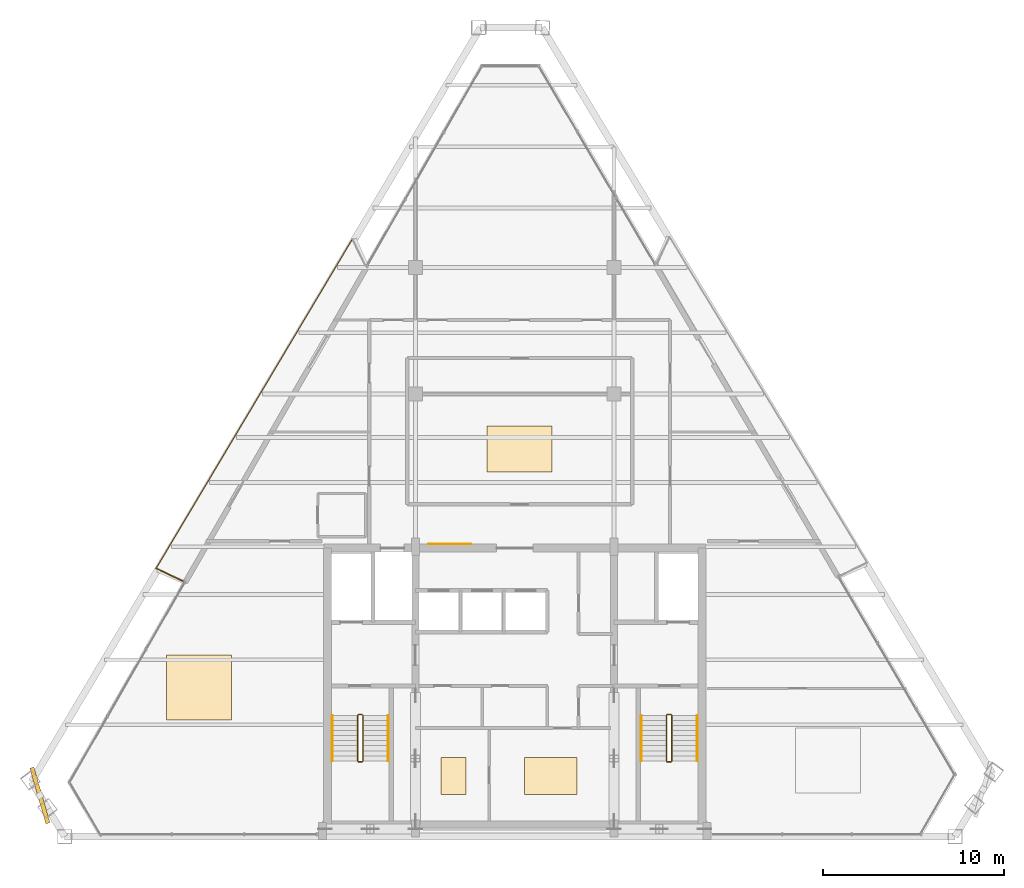
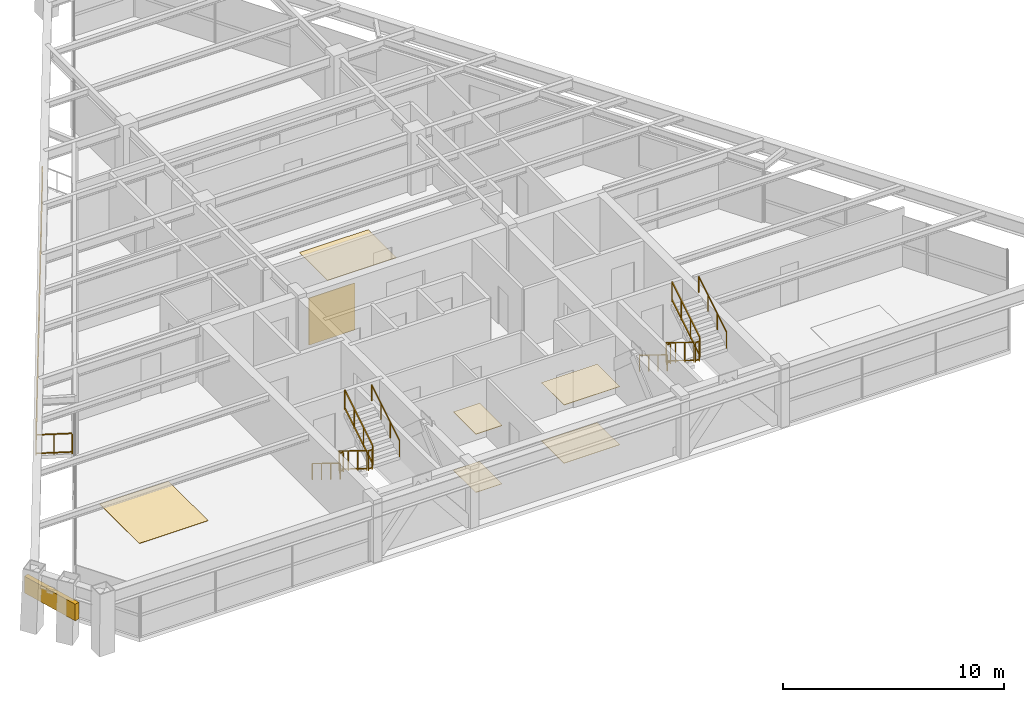
# One storey, part 12 of 13: 14 railings, 7 coverings, 1 shading device.
"""IFC4 building model written with IfcOpenShell, lengths in metres."""

from ifc_helpers import new_model, si_unit, direction, frame, origin, origin_2d, place, context, subcontext, project, spatial, rectangle, extrude, source, transform, mapped, material, layer, layer_set, type_object, type_shapes, element, save


model = new_model("IFC4")

# Units and contexts
model_context = context("Model", 3, precision=1e-05, world=origin(), true_north=direction((0.0, 1.0)))
body_context = subcontext(model_context, "Body", "Model", "MODEL_VIEW")
ifc_project = project(units=[si_unit("LENGTHUNIT", "METRE"), si_unit("AREAUNIT", "SQUARE_METRE"), si_unit("VOLUMEUNIT", "CUBIC_METRE"), si_unit("PLANEANGLEUNIT", "RADIAN"), si_unit("MASSUNIT", "GRAM", prefix="KILO")], contexts=[model_context])

# Site, building, storey
site_placement = place(None, origin())
site = spatial("IfcSite", under=ifc_project, at=site_placement, CompositionType="ELEMENT")
building_placement = place(site_placement, origin())
building = spatial("IfcBuilding", under=site, at=building_placement, Name="Varnakhor Terracotta Tower", CompositionType="ELEMENT")
storey_placement = place(building_placement, frame((0.0, 0.0, 283.35009765625)))
storey = spatial("IfcBuildingStorey", under=building, at=storey_placement, Name="L74", CompositionType="ELEMENT", Elevation=283.35009765625)

# Railings
ifc_material_1 = material(Name="Stainless Steel & Laminated Glass Guardrail", Category="steel")
railing_type_1 = type_object("IfcRailingType", Name="RLG-LOGGIA-GUARD-1150", PredefinedType="GUARDRAIL", material=ifc_material_1)
railing_1_placement = place(storey_placement, frame((-18.365966796875, 14.141357421875, 0.0)))
element("IfcRailing", 1, at=railing_1_placement, inside=storey, type_object=railing_type_1, Name="L74 W Loggia Glass Guard 1", PredefinedType="GUARDRAIL", context=body_context, shape_type="SweptSolid", body=[
    extrude(rectangle(XDim=0.048095703125, YDim=0.048095703125, at=origin_2d()), frame((0.0, 0.0, 1.1259765625), z_axis=(-0.900537627034, 0.434778083965, 0.0), x_axis=(-0.434778083965, -0.900537627034, 0.0)), (0.0, 0.0, 1.0), 1.64697265625),
    extrude(rectangle(XDim=0.048095703125, YDim=0.048095703125, at=origin_2d()), frame((0.0, 0.0, 0.10009765625), z_axis=(-0.900537627034, 0.434778083965, 0.0), x_axis=(-0.434778083965, -0.900537627034, 0.0)), (0.0, 0.0, 1.0), 1.64697265625),
    extrude(rectangle(XDim=0.0419921875, YDim=0.0419921875, at=origin_2d()), origin(), (0.0, 0.0, 1.0), 1.101806640625),
    extrude(rectangle(XDim=0.0419921875, YDim=0.0419921875, at=origin_2d()), frame((-0.74169921875, 0.35791015625, 0.0)), (0.0, 0.0, 1.0), 1.101806640625),
    extrude(rectangle(XDim=0.0419921875, YDim=0.0419921875, at=origin_2d()), frame((-1.483154296875, 0.716064453125, 0.0)), (0.0, 0.0, 1.0), 1.101806640625),
])
railing_2_placement = place(storey_placement, frame((-19.84912109375, 14.857421875, 0.0)))
element("IfcRailing", 2, at=railing_2_placement, inside=storey, type_object=railing_type_1, Name="L74 W Loggia Glass Guard 2", PredefinedType="GUARDRAIL", context=body_context, shape_type="SweptSolid", body=[
    extrude(rectangle(XDim=0.048095703125, YDim=0.048095703125, at=origin_2d()), frame((0.0, 0.0, 1.1259765625), z_axis=(0.511923750807, 0.859030891971, 0.0), x_axis=(-0.859030891971, 0.511923750807, 0.0)), (0.0, 0.0, 1.0), 21.208984375),
    extrude(rectangle(XDim=0.048095703125, YDim=0.048095703125, at=origin_2d()), frame((0.0, 0.0, 0.10009765625), z_axis=(0.511923750807, 0.859030891971, 0.0), x_axis=(-0.859030891971, 0.511923750807, 0.0)), (0.0, 0.0, 1.0), 21.208984375),
    extrude(rectangle(XDim=0.0419921875, YDim=0.0419921875, at=origin_2d()), origin(), (0.0, 0.0, 1.0), 1.101806640625),
    extrude(rectangle(XDim=0.0419921875, YDim=0.0419921875, at=origin_2d()), frame((0.6787109375, 1.138671875, 0.0)), (0.0, 0.0, 1.0), 1.101806640625),
    extrude(rectangle(XDim=0.0419921875, YDim=0.0419921875, at=origin_2d()), frame((1.357177734375, 2.27734375, 0.0)), (0.0, 0.0, 1.0), 1.101806640625),
    extrude(rectangle(XDim=0.0419921875, YDim=0.0419921875, at=origin_2d()), frame((2.03564453125, 3.416015625, 0.0)), (0.0, 0.0, 1.0), 1.101806640625),
    extrude(rectangle(XDim=0.0419921875, YDim=0.0419921875, at=origin_2d()), frame((2.71435546875, 4.5546875, 0.0)), (0.0, 0.0, 1.0), 1.101806640625),
    extrude(rectangle(XDim=0.0419921875, YDim=0.0419921875, at=origin_2d()), frame((3.39306640625, 5.693603515625, 0.0)), (0.0, 0.0, 1.0), 1.101806640625),
    extrude(rectangle(XDim=0.0419921875, YDim=0.0419921875, at=origin_2d()), frame((4.071533203125, 6.832275390625, 0.0)), (0.0, 0.0, 1.0), 1.101806640625),
    extrude(rectangle(XDim=0.0419921875, YDim=0.0419921875, at=origin_2d()), frame((4.75, 7.970947265625, 0.0)), (0.0, 0.0, 1.0), 1.101806640625),
    extrude(rectangle(XDim=0.0419921875, YDim=0.0419921875, at=origin_2d()), frame((5.4287109375, 9.109619140625, 0.0)), (0.0, 0.0, 1.0), 1.101806640625),
    extrude(rectangle(XDim=0.0419921875, YDim=0.0419921875, at=origin_2d()), frame((6.107421875, 10.248291015625, 0.0)), (0.0, 0.0, 1.0), 1.101806640625),
    extrude(rectangle(XDim=0.0419921875, YDim=0.0419921875, at=origin_2d()), frame((6.785888671875, 11.386962890625, 0.0)), (0.0, 0.0, 1.0), 1.101806640625),
    extrude(rectangle(XDim=0.0419921875, YDim=0.0419921875, at=origin_2d()), frame((7.46435546875, 12.525634765625, 0.0)), (0.0, 0.0, 1.0), 1.101806640625),
    extrude(rectangle(XDim=0.0419921875, YDim=0.0419921875, at=origin_2d()), frame((8.14306640625, 13.66455078125, 0.0)), (0.0, 0.0, 1.0), 1.101806640625),
    extrude(rectangle(XDim=0.0419921875, YDim=0.0419921875, at=origin_2d()), frame((8.82177734375, 14.80322265625, 0.0)), (0.0, 0.0, 1.0), 1.101806640625),
    extrude(rectangle(XDim=0.0419921875, YDim=0.0419921875, at=origin_2d()), frame((9.500244140625, 15.94189453125, 0.0)), (0.0, 0.0, 1.0), 1.101806640625),
    extrude(rectangle(XDim=0.0419921875, YDim=0.0419921875, at=origin_2d()), frame((10.1787109375, 17.08056640625, 0.0)), (0.0, 0.0, 1.0), 1.101806640625),
    extrude(rectangle(XDim=0.0419921875, YDim=0.0419921875, at=origin_2d()), frame((10.857421875, 18.21923828125, 0.0)), (0.0, 0.0, 1.0), 1.101806640625),
])
ifc_material_2 = material(Name="Painted Steel Stairwell Guardrail", Category="steel")
railing_type_2 = type_object("IfcRailingType", Name="RLG-STAIR-GUARD-1120", PredefinedType="GUARDRAIL", material=ifc_material_2)
railing_3_placement = place(storey_placement, frame((-8.699951171875, 6.7099609375, 0.17236328125)))
element("IfcRailing", 3, at=railing_3_placement, inside=storey, type_object=railing_type_2, Name="L74 ST-1 stair guard 1", PredefinedType="GUARDRAIL", context=body_context, shape_type="SweptSolid", body=[
    extrude(rectangle(XDim=0.048095703125, YDim=0.048095703125, at=origin_2d()), frame((0.0, 0.0, 1.09619140625), z_axis=(0.0, -0.851400495292, 0.524516154772), x_axis=(1.0, 0.0, 0.0)), (0.0, 0.0, 1.0), 2.9599609375),
    extrude(rectangle(XDim=0.048095703125, YDim=0.048095703125, at=origin_2d()), frame((0.0, 0.0, 0.10009765625), z_axis=(0.0, -0.851400495292, 0.524516154772), x_axis=(1.0, 0.0, 0.0)), (0.0, 0.0, 1.0), 2.9599609375),
    extrude(rectangle(XDim=0.0419921875, YDim=0.0419921875, at=origin_2d()), origin(), (0.0, 0.0, 1.0), 1.072021484375),
    extrude(rectangle(XDim=0.0419921875, YDim=0.0419921875, at=origin_2d()), frame((0.0, -0.840087890625, 0.517578125)), (0.0, 0.0, 1.0), 1.072021484375),
    extrude(rectangle(XDim=0.0419921875, YDim=0.0419921875, at=origin_2d()), frame((0.0, -1.679931640625, 1.034912109375)), (0.0, 0.0, 1.0), 1.072021484375),
    extrude(rectangle(XDim=0.0419921875, YDim=0.0419921875, at=origin_2d()), frame((0.0, -2.52001953125, 1.552490234375)), (0.0, 0.0, 1.0), 1.072021484375),
])
railing_4_placement = place(storey_placement, frame((-8.64990234375, 4.139892578125, 1.724853515625)))
element("IfcRailing", 4, at=railing_4_placement, inside=storey, type_object=railing_type_2, Name="L74 ST-1 stair guard 2", PredefinedType="GUARDRAIL", context=body_context, shape_type="SweptSolid", body=[
    extrude(rectangle(XDim=0.048095703125, YDim=0.048095703125, at=origin_2d()), frame((0.0, 0.0, 1.09619140625), z_axis=(1.0, 0.0, 0.0), x_axis=(0.0, 1.0, 0.0)), (0.0, 0.0, 1.0), 0.199951171875),
    extrude(rectangle(XDim=0.048095703125, YDim=0.048095703125, at=origin_2d()), frame((0.0, 0.0, 0.10009765625), z_axis=(1.0, 0.0, 0.0), x_axis=(0.0, 1.0, 0.0)), (0.0, 0.0, 1.0), 0.199951171875),
    extrude(rectangle(XDim=0.0419921875, YDim=0.0419921875, at=origin_2d()), origin(), (0.0, 0.0, 1.0), 1.072021484375),
    extrude(rectangle(XDim=0.0419921875, YDim=0.0419921875, at=origin_2d()), frame((0.199951171875, 0.0, 0.0)), (0.0, 0.0, 1.0), 1.072021484375),
])
railing_5_placement = place(storey_placement, frame((-8.39990234375, 4.18994140625, 1.8974609375)))
element("IfcRailing", 5, at=railing_5_placement, inside=storey, type_object=railing_type_2, Name="L74 ST-1 stair guard 3", PredefinedType="GUARDRAIL", context=body_context, shape_type="SweptSolid", body=[
    extrude(rectangle(XDim=0.048095703125, YDim=0.048095703125, at=origin_2d()), frame((0.0, 0.0, 1.09619140625), z_axis=(0.0, 0.851400495292, 0.524516154772), x_axis=(-1.0, 0.0, 0.0)), (0.0, 0.0, 1.0), 2.9599609375),
    extrude(rectangle(XDim=0.048095703125, YDim=0.048095703125, at=origin_2d()), frame((0.0, 0.0, 0.10009765625), z_axis=(0.0, 0.851400495292, 0.524516154772), x_axis=(-1.0, 0.0, 0.0)), (0.0, 0.0, 1.0), 2.9599609375),
    extrude(rectangle(XDim=0.0419921875, YDim=0.0419921875, at=origin_2d()), origin(), (0.0, 0.0, 1.0), 1.072021484375),
    extrude(rectangle(XDim=0.0419921875, YDim=0.0419921875, at=origin_2d()), frame((0.0, 0.840087890625, 0.517578125)), (0.0, 0.0, 1.0), 1.072021484375),
    extrude(rectangle(XDim=0.0419921875, YDim=0.0419921875, at=origin_2d()), frame((0.0, 1.679931640625, 1.034912109375)), (0.0, 0.0, 1.0), 1.072021484375),
    extrude(rectangle(XDim=0.0419921875, YDim=0.0419921875, at=origin_2d()), frame((0.0, 2.52001953125, 1.552490234375)), (0.0, 0.0, 1.0), 1.072021484375),
])
railing_6_placement = place(storey_placement, frame((-8.64990234375, 6.760009765625, 0.0)))
element("IfcRailing", 6, at=railing_6_placement, inside=storey, type_object=railing_type_2, Name="L74 ST-1 stair guard 4", PredefinedType="GUARDRAIL", context=body_context, shape_type="SweptSolid", body=[
    extrude(rectangle(XDim=0.048095703125, YDim=0.048095703125, at=origin_2d()), frame((0.0, 0.0, 1.09619140625), z_axis=(1.0, 0.0, 0.0), x_axis=(0.0, 1.0, 0.0)), (0.0, 0.0, 1.0), 0.199951171875),
    extrude(rectangle(XDim=0.048095703125, YDim=0.048095703125, at=origin_2d()), frame((0.0, 0.0, 0.10009765625), z_axis=(1.0, 0.0, 0.0), x_axis=(0.0, 1.0, 0.0)), (0.0, 0.0, 1.0), 0.199951171875),
    extrude(rectangle(XDim=0.0419921875, YDim=0.0419921875, at=origin_2d()), origin(), (0.0, 0.0, 1.0), 1.072021484375),
    extrude(rectangle(XDim=0.0419921875, YDim=0.0419921875, at=origin_2d()), frame((0.199951171875, 0.0, 0.0)), (0.0, 0.0, 1.0), 1.072021484375),
])
railing_7_placement = place(storey_placement, frame((8.39990234375, 6.7099609375, 0.17236328125)))
element("IfcRailing", 7, at=railing_7_placement, inside=storey, type_object=railing_type_2, Name="L74 ST-2 stair guard 1", PredefinedType="GUARDRAIL", context=body_context, shape_type="SweptSolid", body=[
    extrude(rectangle(XDim=0.048095703125, YDim=0.048095703125, at=origin_2d()), frame((0.0, 0.0, 1.09619140625), z_axis=(0.0, -0.851400495292, 0.524516154772), x_axis=(1.0, 0.0, 0.0)), (0.0, 0.0, 1.0), 2.9599609375),
    extrude(rectangle(XDim=0.048095703125, YDim=0.048095703125, at=origin_2d()), frame((0.0, 0.0, 0.10009765625), z_axis=(0.0, -0.851400495292, 0.524516154772), x_axis=(1.0, 0.0, 0.0)), (0.0, 0.0, 1.0), 2.9599609375),
    extrude(rectangle(XDim=0.0419921875, YDim=0.0419921875, at=origin_2d()), origin(), (0.0, 0.0, 1.0), 1.072021484375),
    extrude(rectangle(XDim=0.0419921875, YDim=0.0419921875, at=origin_2d()), frame((0.0, -0.840087890625, 0.517578125)), (0.0, 0.0, 1.0), 1.072021484375),
    extrude(rectangle(XDim=0.0419921875, YDim=0.0419921875, at=origin_2d()), frame((0.0, -1.679931640625, 1.034912109375)), (0.0, 0.0, 1.0), 1.072021484375),
    extrude(rectangle(XDim=0.0419921875, YDim=0.0419921875, at=origin_2d()), frame((0.0, -2.52001953125, 1.552490234375)), (0.0, 0.0, 1.0), 1.072021484375),
])
railing_8_placement = place(storey_placement, frame((8.449951171875, 4.139892578125, 1.724853515625)))
element("IfcRailing", 8, at=railing_8_placement, inside=storey, type_object=railing_type_2, Name="L74 ST-2 stair guard 2", PredefinedType="GUARDRAIL", context=body_context, shape_type="SweptSolid", body=[
    extrude(rectangle(XDim=0.048095703125, YDim=0.048095703125, at=origin_2d()), frame((0.0, 0.0, 1.09619140625), z_axis=(1.0, 0.0, 0.0), x_axis=(0.0, 1.0, 0.0)), (0.0, 0.0, 1.0), 0.199951171875),
    extrude(rectangle(XDim=0.048095703125, YDim=0.048095703125, at=origin_2d()), frame((0.0, 0.0, 0.10009765625), z_axis=(1.0, 0.0, 0.0), x_axis=(0.0, 1.0, 0.0)), (0.0, 0.0, 1.0), 0.199951171875),
    extrude(rectangle(XDim=0.0419921875, YDim=0.0419921875, at=origin_2d()), origin(), (0.0, 0.0, 1.0), 1.072021484375),
    extrude(rectangle(XDim=0.0419921875, YDim=0.0419921875, at=origin_2d()), frame((0.199951171875, 0.0, 0.0)), (0.0, 0.0, 1.0), 1.072021484375),
])
railing_9_placement = place(storey_placement, frame((8.699951171875, 4.18994140625, 1.8974609375)))
element("IfcRailing", 9, at=railing_9_placement, inside=storey, type_object=railing_type_2, Name="L74 ST-2 stair guard 3", PredefinedType="GUARDRAIL", context=body_context, shape_type="SweptSolid", body=[
    extrude(rectangle(XDim=0.048095703125, YDim=0.048095703125, at=origin_2d()), frame((0.0, 0.0, 1.09619140625), z_axis=(0.0, 0.851400495292, 0.524516154772), x_axis=(-1.0, 0.0, 0.0)), (0.0, 0.0, 1.0), 2.9599609375),
    extrude(rectangle(XDim=0.048095703125, YDim=0.048095703125, at=origin_2d()), frame((0.0, 0.0, 0.10009765625), z_axis=(0.0, 0.851400495292, 0.524516154772), x_axis=(-1.0, 0.0, 0.0)), (0.0, 0.0, 1.0), 2.9599609375),
    extrude(rectangle(XDim=0.0419921875, YDim=0.0419921875, at=origin_2d()), origin(), (0.0, 0.0, 1.0), 1.072021484375),
    extrude(rectangle(XDim=0.0419921875, YDim=0.0419921875, at=origin_2d()), frame((0.0, 0.840087890625, 0.517578125)), (0.0, 0.0, 1.0), 1.072021484375),
    extrude(rectangle(XDim=0.0419921875, YDim=0.0419921875, at=origin_2d()), frame((0.0, 1.679931640625, 1.034912109375)), (0.0, 0.0, 1.0), 1.072021484375),
    extrude(rectangle(XDim=0.0419921875, YDim=0.0419921875, at=origin_2d()), frame((0.0, 2.52001953125, 1.552490234375)), (0.0, 0.0, 1.0), 1.072021484375),
])
railing_10_placement = place(storey_placement, frame((8.449951171875, 6.760009765625, 0.0)))
element("IfcRailing", 10, at=railing_10_placement, inside=storey, type_object=railing_type_2, Name="L74 ST-2 stair guard 4", PredefinedType="GUARDRAIL", context=body_context, shape_type="SweptSolid", body=[
    extrude(rectangle(XDim=0.048095703125, YDim=0.048095703125, at=origin_2d()), frame((0.0, 0.0, 1.09619140625), z_axis=(1.0, 0.0, 0.0), x_axis=(0.0, 1.0, 0.0)), (0.0, 0.0, 1.0), 0.199951171875),
    extrude(rectangle(XDim=0.048095703125, YDim=0.048095703125, at=origin_2d()), frame((0.0, 0.0, 0.10009765625), z_axis=(1.0, 0.0, 0.0), x_axis=(0.0, 1.0, 0.0)), (0.0, 0.0, 1.0), 0.199951171875),
    extrude(rectangle(XDim=0.0419921875, YDim=0.0419921875, at=origin_2d()), origin(), (0.0, 0.0, 1.0), 1.072021484375),
    extrude(rectangle(XDim=0.0419921875, YDim=0.0419921875, at=origin_2d()), frame((0.199951171875, 0.0, 0.0)), (0.0, 0.0, 1.0), 1.072021484375),
])
ifc_material_3 = material(Name="Brushed Stainless Steel Handrail", Category="steel")
railing_type_3 = type_object("IfcRailingType", Name="RLG-STAIR-HANDRAIL-920", PredefinedType="HANDRAIL", material=ifc_material_3)
railing_11_placement = place(storey_placement, frame((-10.10009765625, 6.7099609375, 0.17236328125)))
element("IfcRailing", 11, at=railing_11_placement, inside=storey, type_object=railing_type_3, Name="L74 ST-1 stair handrail 1", PredefinedType="HANDRAIL", context=body_context, shape_type="SweptSolid", body=[
    extrude(rectangle(XDim=0.048095703125, YDim=0.048095703125, at=origin_2d()), frame((0.0, 0.0, 0.89599609375), z_axis=(0.0, -0.851400495292, 0.524516154772), x_axis=(1.0, 0.0, 0.0)), (0.0, 0.0, 1.0), 2.9599609375),
    extrude(rectangle(XDim=0.0419921875, YDim=0.0419921875, at=origin_2d()), origin(), (0.0, 0.0, 1.0), 0.871826171875),
    extrude(rectangle(XDim=0.0419921875, YDim=0.0419921875, at=origin_2d()), frame((0.0, -0.840087890625, 0.517578125)), (0.0, 0.0, 1.0), 0.871826171875),
    extrude(rectangle(XDim=0.0419921875, YDim=0.0419921875, at=origin_2d()), frame((0.0, -1.679931640625, 1.034912109375)), (0.0, 0.0, 1.0), 0.871826171875),
    extrude(rectangle(XDim=0.0419921875, YDim=0.0419921875, at=origin_2d()), frame((0.0, -2.52001953125, 1.552490234375)), (0.0, 0.0, 1.0), 0.871826171875),
])
railing_12_placement = place(storey_placement, frame((-7.0, 4.18994140625, 1.8974609375)))
element("IfcRailing", 12, at=railing_12_placement, inside=storey, type_object=railing_type_3, Name="L74 ST-1 stair handrail 2", PredefinedType="HANDRAIL", context=body_context, shape_type="SweptSolid", body=[
    extrude(rectangle(XDim=0.048095703125, YDim=0.048095703125, at=origin_2d()), frame((0.0, 0.0, 0.89599609375), z_axis=(0.0, 0.851400495292, 0.524516154772), x_axis=(-1.0, 0.0, 0.0)), (0.0, 0.0, 1.0), 2.9599609375),
    extrude(rectangle(XDim=0.0419921875, YDim=0.0419921875, at=origin_2d()), origin(), (0.0, 0.0, 1.0), 0.871826171875),
    extrude(rectangle(XDim=0.0419921875, YDim=0.0419921875, at=origin_2d()), frame((0.0, 0.840087890625, 0.517578125)), (0.0, 0.0, 1.0), 0.871826171875),
    extrude(rectangle(XDim=0.0419921875, YDim=0.0419921875, at=origin_2d()), frame((0.0, 1.679931640625, 1.034912109375)), (0.0, 0.0, 1.0), 0.871826171875),
    extrude(rectangle(XDim=0.0419921875, YDim=0.0419921875, at=origin_2d()), frame((0.0, 2.52001953125, 1.552490234375)), (0.0, 0.0, 1.0), 0.871826171875),
])
railing_13_placement = place(storey_placement, frame((7.0, 6.7099609375, 0.17236328125)))
element("IfcRailing", 13, at=railing_13_placement, inside=storey, type_object=railing_type_3, Name="L74 ST-2 stair handrail 1", PredefinedType="HANDRAIL", context=body_context, shape_type="SweptSolid", body=[
    extrude(rectangle(XDim=0.048095703125, YDim=0.048095703125, at=origin_2d()), frame((0.0, 0.0, 0.89599609375), z_axis=(0.0, -0.851400495292, 0.524516154772), x_axis=(1.0, 0.0, 0.0)), (0.0, 0.0, 1.0), 2.9599609375),
    extrude(rectangle(XDim=0.0419921875, YDim=0.0419921875, at=origin_2d()), origin(), (0.0, 0.0, 1.0), 0.871826171875),
    extrude(rectangle(XDim=0.0419921875, YDim=0.0419921875, at=origin_2d()), frame((0.0, -0.840087890625, 0.517578125)), (0.0, 0.0, 1.0), 0.871826171875),
    extrude(rectangle(XDim=0.0419921875, YDim=0.0419921875, at=origin_2d()), frame((0.0, -1.679931640625, 1.034912109375)), (0.0, 0.0, 1.0), 0.871826171875),
    extrude(rectangle(XDim=0.0419921875, YDim=0.0419921875, at=origin_2d()), frame((0.0, -2.52001953125, 1.552490234375)), (0.0, 0.0, 1.0), 0.871826171875),
])
railing_14_placement = place(storey_placement, frame((10.10009765625, 4.18994140625, 1.8974609375)))
element("IfcRailing", 14, at=railing_14_placement, inside=storey, type_object=railing_type_3, Name="L74 ST-2 stair handrail 2", PredefinedType="HANDRAIL", context=body_context, shape_type="SweptSolid", body=[
    extrude(rectangle(XDim=0.048095703125, YDim=0.048095703125, at=origin_2d()), frame((0.0, 0.0, 0.89599609375), z_axis=(0.0, 0.851400495292, 0.524516154772), x_axis=(-1.0, 0.0, 0.0)), (0.0, 0.0, 1.0), 2.9599609375),
    extrude(rectangle(XDim=0.0419921875, YDim=0.0419921875, at=origin_2d()), origin(), (0.0, 0.0, 1.0), 0.871826171875),
    extrude(rectangle(XDim=0.0419921875, YDim=0.0419921875, at=origin_2d()), frame((0.0, 0.840087890625, 0.517578125)), (0.0, 0.0, 1.0), 0.871826171875),
    extrude(rectangle(XDim=0.0419921875, YDim=0.0419921875, at=origin_2d()), frame((0.0, 1.679931640625, 1.034912109375)), (0.0, 0.0, 1.0), 0.871826171875),
    extrude(rectangle(XDim=0.0419921875, YDim=0.0419921875, at=origin_2d()), frame((0.0, 2.52001953125, 1.552490234375)), (0.0, 0.0, 1.0), 0.871826171875),
])

# Shading device
ifc_material_4 = material(Name="Extruded Architectural Terracotta Screen", Category="masonry")
shading_device_type = type_object("IfcShadingDeviceType", Name="TERRACOTTA SOLAR SCREEN W", PredefinedType="USERDEFINED", material=ifc_material_4)
shared_shape_1 = source(origin(), body_context, "Body", "SweptSolid", [
    extrude(rectangle(XDim=3.199951171875, YDim=0.239990234375, at=origin_2d()), origin(), (0.0, 0.0, 1.0), 0.919921875),
])
type_shapes(shading_device_type, [shared_shape_1])
shading_device_placement = place(storey_placement, frame((-26.291015625, 2.27734375, 1.56201171875), z_axis=(0.0, 0.0, 1.0), x_axis=(0.277683545562, -0.960672602151, 0.0)))
element("IfcShadingDevice", 15, at=shading_device_placement, inside=storey, type_object=shading_device_type, Name="L74 W Terracotta Solar Screen", ObjectType="SCREEN", PredefinedType="USERDEFINED", context=body_context, shape_type="MappedRepresentation", body=[
    mapped(shared_shape_1, transform((0.0, 0.0, 0.0), scale=1.0)),
])

# Coverings
ifc_material_5 = material(Name="Extruded Architectural Terracotta Cladding", Category="masonry")
ifc_layer_1 = layer(ifc_material_5, 0.044921875, Name="Extruded Architectural Terracotta Cladding")
ifc_layer_set_1 = layer_set([ifc_layer_1], Name="Extruded Architectural Terracotta Cladding")
covering_type_1 = type_object("IfcCoveringType", Name="COV-CLAD-TERRACOTTA", PredefinedType="CLADDING", material=ifc_layer_set_1)
shared_shape_2 = source(origin(), body_context, "Body", "SweptSolid", [
    extrude(rectangle(XDim=2.39990234375, YDim=0.030029296875, at=origin_2d()), origin(), (0.0, 0.0, 1.0), 2.60009765625),
])
type_shapes(covering_type_1, [shared_shape_2])
covering_1_placement = place(storey_placement, frame((-3.60009765625, 16.2119140625, -0.000244140625), z_axis=(0.0, 0.0, 1.0), x_axis=(1.0, 0.0, 0.0)))
element("IfcCovering", 16, at=covering_1_placement, inside=storey, type_object=covering_type_1, Name="L74 Core Lobby Limestone Cladding", PredefinedType="CLADDING", context=body_context, shape_type="MappedRepresentation", body=[
    mapped(shared_shape_2, transform((0.0, 0.0, 0.0), scale=1.0)),
])
ifc_material_6 = material(Name="Honed Riyadh Limestone Flooring", Category="masonry")
ifc_layer_2 = layer(ifc_material_6, 0.030029296875, Name="Honed Riyadh Limestone Flooring")
ifc_layer_set_2 = layer_set([ifc_layer_2], Name="Honed Riyadh Limestone Flooring")
covering_type_2 = type_object("IfcCoveringType", Name="COV-FLOOR-LIMESTONE", PredefinedType="FLOORING", material=ifc_layer_set_2)
shared_shape_3 = source(origin(), body_context, "Body", "SweptSolid", [
    extrude(rectangle(XDim=3.60009765625, YDim=3.60009765625, at=origin_2d()), origin(), (0.0, 0.0, 1.0), 0.02001953125),
])
covering_2_placement = place(storey_placement, frame((-17.486083984375, 8.26611328125, 0.0), z_axis=(0.0, 0.0, 1.0), x_axis=(1.0, 0.0, 0.0)))
element("IfcCovering", 17, at=covering_2_placement, inside=storey, type_object=covering_type_2, Name="L74 Honed Stone Flooring 3", PredefinedType="FLOORING", context=body_context, shape_type="MappedRepresentation", body=[
    mapped(shared_shape_3, transform((0.0, 0.0, 0.0), scale=1.0)),
])
shared_shape_4 = source(origin(), body_context, "Body", "SweptSolid", [
    extrude(rectangle(XDim=1.375, YDim=2.041015625, at=origin_2d()), origin(), (0.0, 0.0, 1.0), 0.02001953125),
])
covering_3_placement = place(storey_placement, frame((-3.389892578125, 3.35498046875, 0.0), z_axis=(0.0, 0.0, 1.0), x_axis=(1.0, 0.0, 0.0)))
element("IfcCovering", 18, at=covering_3_placement, inside=storey, type_object=covering_type_2, Name="L74 Honed Stone Flooring 1", PredefinedType="FLOORING", context=body_context, shape_type="MappedRepresentation", body=[
    mapped(shared_shape_4, transform((0.0, 0.0, 0.0), scale=1.0)),
])
ifc_material_7 = material(Name="Perforated Acoustic Mineral-Fibre Ceiling", Category="gypsum")
ifc_layer_3 = layer(ifc_material_7, 0.02490234375, Name="Perforated Acoustic Mineral-Fibre Ceiling")
ifc_layer_set_3 = layer_set([ifc_layer_3], Name="Perforated Acoustic Mineral-Fibre Ceiling")
covering_type_3 = type_object("IfcCoveringType", Name="COV-CEILING-ACOUSTIC", PredefinedType="CEILING", material=ifc_layer_set_3)
shared_shape_5 = source(origin(), body_context, "Body", "SweptSolid", [
    extrude(rectangle(XDim=1.375, YDim=2.041015625, at=origin_2d()), origin(), (0.0, 0.0, 1.0), 0.02392578125),
])
covering_4_placement = place(storey_placement, frame((-3.389892578125, 3.35498046875, 3.2158203125), z_axis=(0.0, 0.0, 1.0), x_axis=(1.0, 0.0, 0.0)))
element("IfcCovering", 19, at=covering_4_placement, inside=storey, type_object=covering_type_3, Name="L74 Acoustic Ceiling Panel 1", PredefinedType="CEILING", context=body_context, shape_type="MappedRepresentation", body=[
    mapped(shared_shape_5, transform((0.0, 0.0, 0.0), scale=1.0)),
])
shared_shape_6 = source(origin(), body_context, "Body", "SweptSolid", [
    extrude(rectangle(XDim=2.9150390625, YDim=2.041015625, at=origin_2d()), origin(), (0.0, 0.0, 1.0), 0.02001953125),
])
covering_5_placement = place(storey_placement, frame((1.989990234375, 3.35498046875, 0.0), z_axis=(0.0, 0.0, 1.0), x_axis=(1.0, 0.0, 0.0)))
element("IfcCovering", 20, at=covering_5_placement, inside=storey, type_object=covering_type_2, Name="L74 Honed Stone Flooring 2", PredefinedType="FLOORING", context=body_context, shape_type="MappedRepresentation", body=[
    mapped(shared_shape_6, transform((0.0, 0.0, 0.0), scale=1.0)),
])
shared_shape_7 = source(origin(), body_context, "Body", "SweptSolid", [
    extrude(rectangle(XDim=2.9150390625, YDim=2.041015625, at=origin_2d()), origin(), (0.0, 0.0, 1.0), 0.02392578125),
])
covering_6_placement = place(storey_placement, frame((1.989990234375, 3.35498046875, 3.2158203125), z_axis=(0.0, 0.0, 1.0), x_axis=(1.0, 0.0, 0.0)))
element("IfcCovering", 21, at=covering_6_placement, inside=storey, type_object=covering_type_3, Name="L74 Acoustic Ceiling Panel 2", PredefinedType="CEILING", context=body_context, shape_type="MappedRepresentation", body=[
    mapped(shared_shape_7, transform((0.0, 0.0, 0.0), scale=1.0)),
])
shared_shape_8 = source(origin(), body_context, "Body", "SweptSolid", [
    extrude(rectangle(XDim=3.60009765625, YDim=2.5439453125, at=origin_2d()), origin(), (0.0, 0.0, 1.0), 0.02001953125),
])
covering_7_placement = place(storey_placement, frame((0.27490234375, 21.4609375, 0.0), z_axis=(0.0, 0.0, 1.0), x_axis=(1.0, 0.0, 0.0)))
element("IfcCovering", 22, at=covering_7_placement, inside=storey, type_object=covering_type_2, Name="L74 Honed Stone Flooring 5", PredefinedType="FLOORING", context=body_context, shape_type="MappedRepresentation", body=[
    mapped(shared_shape_8, transform((0.0, 0.0, 0.0), scale=1.0)),
])

save(model, "model.ifc")
